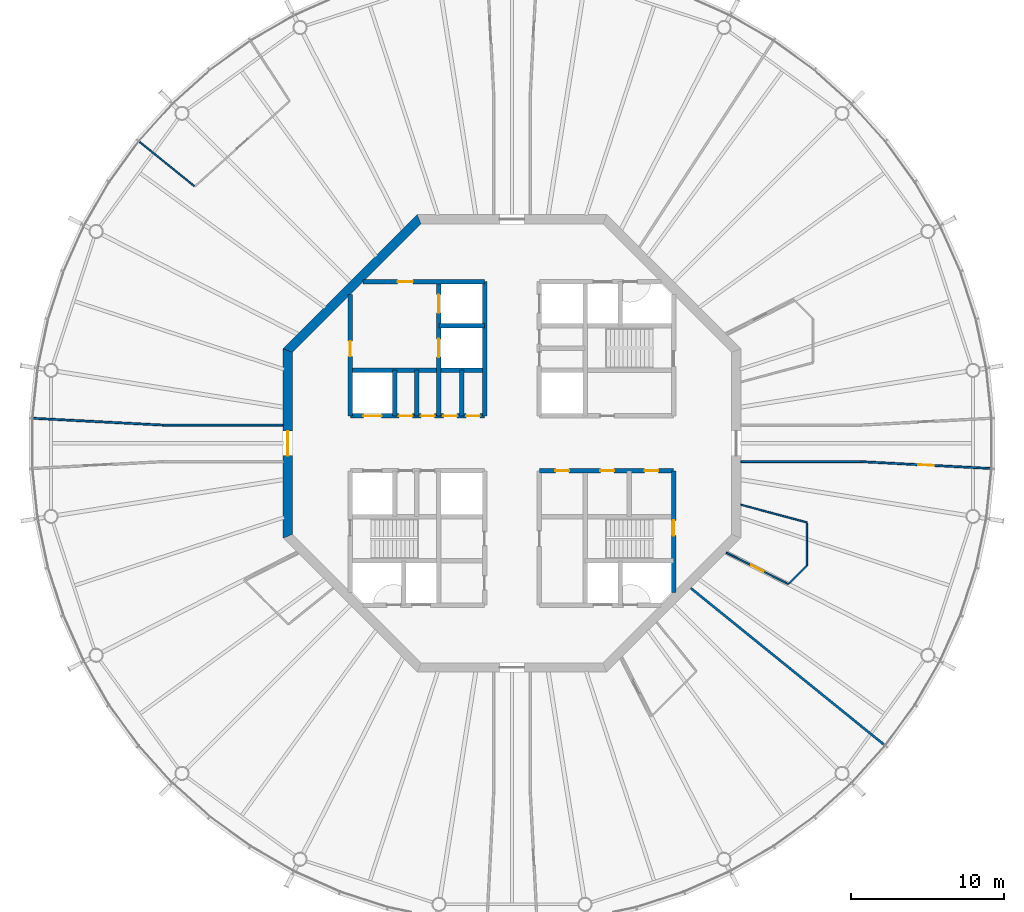
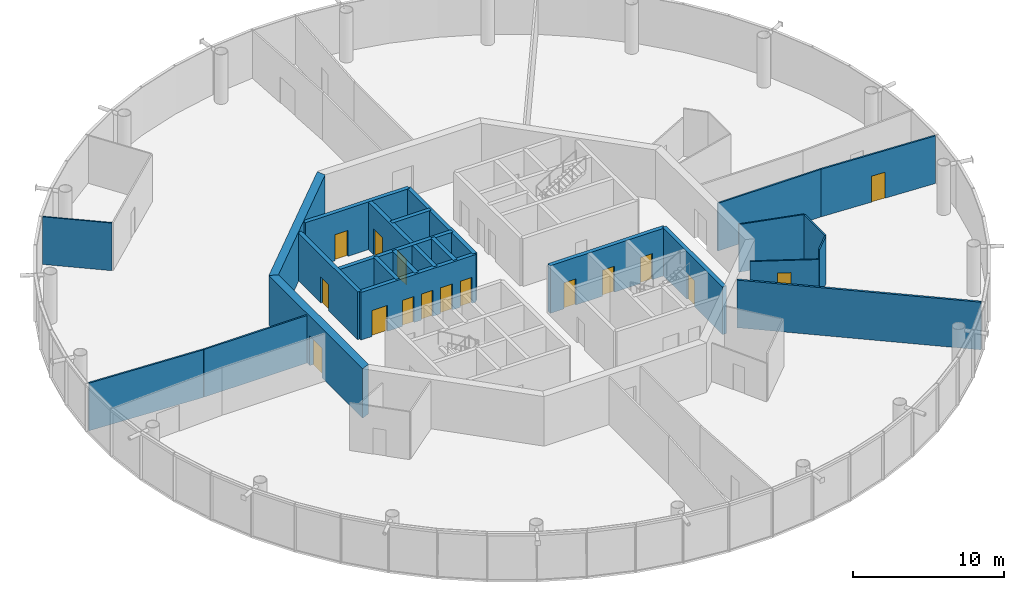
# One storey, part 4 of 18: 24 walls, 16 doors, 16 openings.
"""IFC4 building model written with IfcOpenShell, lengths in metres."""

from ifc_helpers import new_model, si_unit, direction, frame, frame_2d, origin, place, context, subcontext, project, spatial, polyline, rectangle, outline, extrude, material, layer, layer_set, type_object, element, fill, save


model = new_model("IFC4")

# Units and contexts
model_context = context("Model", 3, precision=1e-05, world=origin(), true_north=direction((0.0, 1.0)))
body_context = subcontext(model_context, "Body", "Model", "MODEL_VIEW")
ifc_project = project(units=[si_unit("LENGTHUNIT", "METRE"), si_unit("AREAUNIT", "SQUARE_METRE"), si_unit("VOLUMEUNIT", "CUBIC_METRE"), si_unit("PLANEANGLEUNIT", "RADIAN"), si_unit("MASSUNIT", "GRAM", prefix="KILO")], contexts=[model_context])

# Site, building, storey
site_placement = place(None, origin())
site = spatial("IfcSite", under=ifc_project, at=site_placement, CompositionType="ELEMENT")
building_placement = place(site_placement, origin())
building = spatial("IfcBuilding", under=site, at=building_placement, Name="Entoto Ring Tower", CompositionType="ELEMENT")
storey_placement = place(building_placement, frame((0.0, 0.0, 352.0)))
storey = spatial("IfcBuildingStorey", under=building, at=storey_placement, Name="L81", CompositionType="ELEMENT", Elevation=352.0)

# Wall, opening, door
ifc_material_1 = material(Name="Concrete C40/50", Category="concrete")
ifc_layer_1 = layer(ifc_material_1, 0.300048828125)
ifc_layer_set_1 = layer_set([ifc_layer_1], Name="Concrete C40/50")
wall_type_1 = type_object("IfcWallType", Name="Core enclosure wall 300 mm reinforced concrete", PredefinedType="SOLIDWALL", material=ifc_layer_set_1)
wall_1_placement = place(storey_placement, frame((100.60009765625, 70.2353515625, 0.0), z_axis=(0.0, 0.0, 1.0), x_axis=(0.0, 1.0, 0.0)))
wall_1 = element("IfcWall", 1, at=wall_1_placement, inside=storey, type_object=wall_type_1, Name="wall-L81-001", PredefinedType="SOLIDWALL", context=body_context, shape_type="SweptSolid", body=[
    extrude(rectangle(XDim=7.964599609375, YDim=0.300048828125, at=frame_2d((3.982421875, 0.0))), origin(), (0.0, 0.0, 1.0), 3.85009765625),
])
opening_1_placement = place(wall_1_placement, frame((3.714599609375, 0.0, 0.0)))
opening_1 = element("IfcOpeningElement", 2, at=opening_1_placement, cuts=wall_1, Name="Opening K-28", PredefinedType="OPENING", context=body_context, shape_type="SweptSolid", body=[
    extrude(rectangle(XDim=1.0, YDim=2.10009765625, at=frame_2d((0.5, 1.050048828125))), frame((0.0, 0.16015625, 0.0), z_axis=(0.0, -1.0, 0.0), x_axis=(1.0, 0.0, 0.0)), (0.0, 0.0, 1.0), 0.320068359375),
])
ifc_material_2 = material(Name="Steel door leaf, fire rated", Category="steel")
ifc_layer_2 = layer(ifc_material_2, 0.050048828125)
ifc_layer_set_2 = layer_set([ifc_layer_2], Name="Steel door leaf, fire rated")
door_type_1 = type_object("IfcDoorType", Name="Fire door FD60 1000 x 2100 single leaf", OperationType="NOTDEFINED", PredefinedType="DOOR", material=ifc_layer_set_2)
door_1_placement = place(opening_1_placement, origin())
door_1 = element("IfcDoor", 3, at=door_1_placement, inside=storey, type_object=door_type_1, Name="Door K-28", OperationType="SINGLE_SWING_RIGHT", OverallHeight=2.10009765625, OverallWidth=1.0, PredefinedType="DOOR", context=body_context, shape_type="SweptSolid", body=[
    extrude(rectangle(XDim=1.0, YDim=2.10009765625, at=frame_2d((0.5, 1.050048828125))), frame((0.0, 0.02490234375, 0.0), z_axis=(0.0, -1.0, 0.0), x_axis=(1.0, 0.0, 0.0)), (0.0, 0.0, 1.0), 0.050048828125),
])
fill(opening_1, door_1)

# Walls
wall_2_placement = place(storey_placement, frame((88.199951171875, 81.800048828125, 0.0), z_axis=(0.0, 0.0, 1.0), x_axis=(0.0, 1.0, 0.0)))
element("IfcWall", 4, at=wall_2_placement, inside=storey, type_object=wall_type_1, Name="wall-L81-011", PredefinedType="SOLIDWALL", context=body_context, shape_type="SweptSolid", body=[
    extrude(rectangle(XDim=8.800048828125, YDim=0.300048828125, at=frame_2d((4.39990234375, 0.0))), origin(), (0.0, 0.0, 1.0), 3.85009765625),
])
wall_3_placement = place(storey_placement, frame((86.699951171875, 81.800048828125, 0.0), z_axis=(0.0, 0.0, 1.0), x_axis=(0.0, 1.0, 0.0)))
element("IfcWall", 5, at=wall_3_placement, inside=storey, type_object=wall_type_1, Name="wall-L81-012", PredefinedType="SOLIDWALL", context=body_context, shape_type="SweptSolid", body=[
    extrude(rectangle(XDim=3.0, YDim=0.300048828125, at=frame_2d((1.5, 0.0))), origin(), (0.0, 0.0, 1.0), 3.85009765625),
])

# Wall, openings, doors
wall_4_placement = place(storey_placement, frame((85.199951171875, 81.800048828125, 0.0), z_axis=(0.0, 0.0, 1.0), x_axis=(0.0, 1.0, 0.0)))
wall_4 = element("IfcWall", 6, at=wall_4_placement, inside=storey, type_object=wall_type_1, Name="wall-L81-014", PredefinedType="SOLIDWALL", context=body_context, shape_type="SweptSolid", body=[
    extrude(rectangle(XDim=8.800048828125, YDim=0.300048828125, at=frame_2d((4.39990234375, 0.0))), origin(), (0.0, 0.0, 1.0), 3.85009765625),
])
opening_2_placement = place(wall_4_placement, frame((3.85009765625, 0.0, 0.0)))
opening_2 = element("IfcOpeningElement", 7, at=opening_2_placement, cuts=wall_4, Name="Opening LD", PredefinedType="OPENING", context=body_context, shape_type="SweptSolid", body=[
    extrude(rectangle(XDim=1.199951171875, YDim=2.10009765625, at=frame_2d((0.60009765625, 1.050048828125))), frame((0.0, 0.16015625, 0.0), z_axis=(0.0, -1.0, 0.0), x_axis=(1.0, 0.0, 0.0)), (0.0, 0.0, 1.0), 0.320068359375),
])
opening_3_placement = place(wall_4_placement, frame((6.75, 0.0, 0.0)))
opening_3 = element("IfcOpeningElement", 8, at=opening_3_placement, cuts=wall_4, Name="Opening LD", PredefinedType="OPENING", context=body_context, shape_type="SweptSolid", body=[
    extrude(rectangle(XDim=1.199951171875, YDim=2.10009765625, at=frame_2d((0.60009765625, 1.050048828125))), frame((0.0, 0.16015625, 0.0), z_axis=(0.0, -1.0, 0.0), x_axis=(1.0, 0.0, 0.0)), (0.0, 0.0, 1.0), 0.320068359375),
])
ifc_material_3 = material(Name="Steel and glass door leaf", Category="steel")
ifc_layer_3 = layer(ifc_material_3, 0.050048828125)
ifc_layer_set_3 = layer_set([ifc_layer_3], Name="Steel and glass door leaf")
door_type_2 = type_object("IfcDoorType", Name="Landing door 1200 x 2100 sliding", OperationType="DOUBLE_DOOR_SLIDING", PredefinedType="DOOR", material=ifc_layer_set_3)
door_2_placement = place(opening_2_placement, origin())
door_2 = element("IfcDoor", 9, at=door_2_placement, inside=storey, type_object=door_type_2, Name="Landing door FF1", OperationType="SLIDING_TO_RIGHT", OverallHeight=2.10009765625, OverallWidth=1.199951171875, PredefinedType="DOOR", context=body_context, shape_type="SweptSolid", body=[
    extrude(rectangle(XDim=1.199951171875, YDim=2.10009765625, at=frame_2d((0.60009765625, 1.050048828125))), frame((0.0, 0.02490234375, 0.0), z_axis=(0.0, -1.0, 0.0), x_axis=(1.0, 0.0, 0.0)), (0.0, 0.0, 1.0), 0.050048828125),
])
fill(opening_2, door_2)
door_3_placement = place(opening_3_placement, origin())
door_3 = element("IfcDoor", 10, at=door_3_placement, inside=storey, type_object=door_type_2, Name="Landing door FF2", OperationType="SLIDING_TO_RIGHT", OverallHeight=2.10009765625, OverallWidth=1.199951171875, PredefinedType="DOOR", context=body_context, shape_type="SweptSolid", body=[
    extrude(rectangle(XDim=1.199951171875, YDim=2.10009765625, at=frame_2d((0.60009765625, 1.050048828125))), frame((0.0, 0.02490234375, 0.0), z_axis=(0.0, -1.0, 0.0), x_axis=(1.0, 0.0, 0.0)), (0.0, 0.0, 1.0), 0.050048828125),
])
fill(opening_3, door_3)

# Walls
for number, where, z_axis, x_axis, name in (
    (11, (83.75, 81.800048828125, 0.0), (0.0, 0.0, 1.0), (0.0, 1.0, 0.0), "wall-L81-016"),
    (12, (82.300048828125, 81.800048828125, 0.0), (0.0, 0.0, 1.0), (0.0, 1.0, 0.0), "wall-L81-019"),
):
    element("IfcWall", number, at=place(storey_placement, frame(where, z_axis=z_axis, x_axis=x_axis)), inside=storey, type_object=wall_type_1, Name=name, PredefinedType="SOLIDWALL", context=body_context, shape_type="SweptSolid", body=[
        extrude(rectangle(XDim=3.0, YDim=0.300048828125, at=frame_2d((1.5, 0.0))), origin(), (0.0, 0.0, 1.0), 3.85009765625),
    ])

# Wall, opening, door
wall_5_placement = place(storey_placement, frame((79.39990234375, 81.800048828125, 0.0), z_axis=(0.0, 0.0, 1.0), x_axis=(0.0, 1.0, 0.0)))
wall_5 = element("IfcWall", 13, at=wall_5_placement, inside=storey, type_object=wall_type_1, Name="wall-L81-021", PredefinedType="SOLIDWALL", context=body_context, shape_type="SweptSolid", body=[
    extrude(rectangle(XDim=7.964599609375, YDim=0.300048828125, at=frame_2d((3.982421875, 0.0))), origin(), (0.0, 0.0, 1.0), 3.85009765625),
])
opening_4_placement = place(wall_5_placement, frame((3.89990234375, 0.0, 0.0)))
opening_4 = element("IfcOpeningElement", 14, at=opening_4_placement, cuts=wall_5, Name="Opening K-86", PredefinedType="OPENING", context=body_context, shape_type="SweptSolid", body=[
    extrude(rectangle(XDim=1.0, YDim=2.10009765625, at=frame_2d((0.5, 1.050048828125))), frame((0.0, 0.16015625, 0.0), z_axis=(0.0, -1.0, 0.0), x_axis=(1.0, 0.0, 0.0)), (0.0, 0.0, 1.0), 0.320068359375),
])
door_4_placement = place(opening_4_placement, frame((1.0, 0.0, 0.0), z_axis=(0.0, 0.0, 1.0), x_axis=(-1.0, 0.0, 0.0)))
door_4 = element("IfcDoor", 15, at=door_4_placement, inside=storey, type_object=door_type_1, Name="Door K-86", OperationType="SINGLE_SWING_RIGHT", OverallHeight=2.10009765625, OverallWidth=1.0, PredefinedType="DOOR", context=body_context, shape_type="SweptSolid", body=[
    extrude(rectangle(XDim=1.0, YDim=2.10009765625, at=frame_2d((0.5, 1.050048828125))), frame((0.0, 0.02490234375, 0.0), z_axis=(0.0, -1.0, 0.0), x_axis=(1.0, 0.0, 0.0)), (0.0, 0.0, 1.0), 0.050048828125),
])
fill(opening_4, door_4)

# Wall, openings, doors
wall_6_placement = place(storey_placement, frame((91.800048828125, 78.199951171875, 0.0), z_axis=(0.0, 0.0, 1.0), x_axis=(1.0, 0.0, 0.0)))
wall_6 = element("IfcWall", 16, at=wall_6_placement, inside=storey, type_object=wall_type_1, Name="wall-L81-029", PredefinedType="SOLIDWALL", context=body_context, shape_type="SweptSolid", body=[
    extrude(rectangle(XDim=8.800048828125, YDim=0.300048828125, at=frame_2d((4.39990234375, 0.0))), origin(), (0.0, 0.0, 1.0), 3.85009765625),
])
opening_5_placement = place(wall_6_placement, frame((4.0, 0.0, 0.0)))
opening_5 = element("IfcOpeningElement", 17, at=opening_5_placement, cuts=wall_6, Name="Opening K-14", PredefinedType="OPENING", context=body_context, shape_type="SweptSolid", body=[
    extrude(rectangle(XDim=0.89990234375, YDim=2.10009765625, at=frame_2d((0.449951171875, 1.050048828125))), frame((0.0, 0.16015625, 0.0), z_axis=(0.0, -1.0, 0.0), x_axis=(1.0, 0.0, 0.0)), (0.0, 0.0, 1.0), 0.320068359375),
])
opening_6_placement = place(wall_6_placement, frame((6.89990234375, 0.0, 0.0)))
opening_6 = element("IfcOpeningElement", 18, at=opening_6_placement, cuts=wall_6, Name="Opening K-15", PredefinedType="OPENING", context=body_context, shape_type="SweptSolid", body=[
    extrude(rectangle(XDim=0.89990234375, YDim=2.10009765625, at=frame_2d((0.449951171875, 1.050048828125))), frame((0.0, 0.16015625, 0.0), z_axis=(0.0, -1.0, 0.0), x_axis=(1.0, 0.0, 0.0)), (0.0, 0.0, 1.0), 0.320068359375),
])
opening_7_placement = place(wall_6_placement, frame((1.050048828125, 0.0, 0.0)))
opening_7 = element("IfcOpeningElement", 19, at=opening_7_placement, cuts=wall_6, Name="Opening K-25", PredefinedType="OPENING", context=body_context, shape_type="SweptSolid", body=[
    extrude(rectangle(XDim=0.89990234375, YDim=2.10009765625, at=frame_2d((0.449951171875, 1.050048828125))), frame((0.0, 0.16015625, 0.0), z_axis=(0.0, -1.0, 0.0), x_axis=(1.0, 0.0, 0.0)), (0.0, 0.0, 1.0), 0.320068359375),
])
ifc_material_4 = material(Name="Steel door leaf, fire rated", Category="steel")
ifc_layer_4 = layer(ifc_material_4, 0.050048828125)
ifc_layer_set_4 = layer_set([ifc_layer_4], Name="Steel door leaf, fire rated")
door_type_3 = type_object("IfcDoorType", Name="Core door 900 x 2100 single leaf", OperationType="NOTDEFINED", PredefinedType="DOOR", material=ifc_layer_set_4)
door_5_placement = place(opening_5_placement, frame((0.89990234375, 0.0, 0.0), z_axis=(0.0, 0.0, 1.0), x_axis=(-1.0, 0.0, 0.0)))
door_5 = element("IfcDoor", 20, at=door_5_placement, inside=storey, type_object=door_type_3, Name="Door K-14", OperationType="SINGLE_SWING_RIGHT", OverallHeight=2.10009765625, OverallWidth=0.89990234375, PredefinedType="DOOR", context=body_context, shape_type="SweptSolid", body=[
    extrude(rectangle(XDim=0.89990234375, YDim=2.10009765625, at=frame_2d((0.449951171875, 1.050048828125))), frame((0.0, 0.02490234375, 0.0), z_axis=(0.0, -1.0, 0.0), x_axis=(1.0, 0.0, 0.0)), (0.0, 0.0, 1.0), 0.050048828125),
])
fill(opening_5, door_5)
door_6_placement = place(opening_6_placement, frame((0.89990234375, 0.0, 0.0), z_axis=(0.0, 0.0, 1.0), x_axis=(-1.0, 0.0, 0.0)))
door_6 = element("IfcDoor", 21, at=door_6_placement, inside=storey, type_object=door_type_3, Name="Door K-15", OperationType="SINGLE_SWING_LEFT", OverallHeight=2.10009765625, OverallWidth=0.89990234375, PredefinedType="DOOR", context=body_context, shape_type="SweptSolid", body=[
    extrude(rectangle(XDim=0.89990234375, YDim=2.10009765625, at=frame_2d((0.449951171875, 1.050048828125))), frame((0.0, 0.02490234375, 0.0), z_axis=(0.0, -1.0, 0.0), x_axis=(1.0, 0.0, 0.0)), (0.0, 0.0, 1.0), 0.050048828125),
])
fill(opening_6, door_6)
door_7_placement = place(opening_7_placement, frame((0.89990234375, 0.0, 0.0), z_axis=(0.0, 0.0, 1.0), x_axis=(-1.0, 0.0, 0.0)))
door_7 = element("IfcDoor", 22, at=door_7_placement, inside=storey, type_object=door_type_3, Name="Door K-25", OperationType="SINGLE_SWING_RIGHT", OverallHeight=2.10009765625, OverallWidth=0.89990234375, PredefinedType="DOOR", context=body_context, shape_type="SweptSolid", body=[
    extrude(rectangle(XDim=0.89990234375, YDim=2.10009765625, at=frame_2d((0.449951171875, 1.050048828125))), frame((0.0, 0.02490234375, 0.0), z_axis=(0.0, -1.0, 0.0), x_axis=(1.0, 0.0, 0.0)), (0.0, 0.0, 1.0), 0.050048828125),
])
fill(opening_7, door_7)

wall_7_placement = place(storey_placement, frame((79.39990234375, 81.800048828125, 0.0), z_axis=(0.0, 0.0, 1.0), x_axis=(1.0, 0.0, 0.0)))
wall_7 = element("IfcWall", 23, at=wall_7_placement, inside=storey, type_object=wall_type_1, Name="wall-L81-030", PredefinedType="SOLIDWALL", context=body_context, shape_type="SweptSolid", body=[
    extrude(rectangle(XDim=8.800048828125, YDim=0.300048828125, at=frame_2d((4.39990234375, 0.0))), origin(), (0.0, 0.0, 1.0), 3.85009765625),
])
opening_8_placement = place(wall_7_placement, frame((0.85009765625, 0.0, 0.0)))
opening_8 = element("IfcOpeningElement", 24, at=opening_8_placement, cuts=wall_7, Name="Opening LD", PredefinedType="OPENING", context=body_context, shape_type="SweptSolid", body=[
    extrude(rectangle(XDim=1.199951171875, YDim=2.10009765625, at=frame_2d((0.60009765625, 1.050048828125))), frame((0.0, 0.16015625, 0.0), z_axis=(0.0, -1.0, 0.0), x_axis=(1.0, 0.0, 0.0)), (0.0, 0.0, 1.0), 0.320068359375),
])
opening_9_placement = place(wall_7_placement, frame((3.175048828125, 0.0, 0.0)))
opening_9 = element("IfcOpeningElement", 25, at=opening_9_placement, cuts=wall_7, Name="Opening K-12", PredefinedType="OPENING", context=body_context, shape_type="SweptSolid", body=[
    extrude(rectangle(XDim=0.89990234375, YDim=2.10009765625, at=frame_2d((0.449951171875, 1.050048828125))), frame((0.0, 0.16015625, 0.0), z_axis=(0.0, -1.0, 0.0), x_axis=(1.0, 0.0, 0.0)), (0.0, 0.0, 1.0), 0.320068359375),
])
opening_10_placement = place(wall_7_placement, frame((4.625, 0.0, 0.0)))
opening_10 = element("IfcOpeningElement", 26, at=opening_10_placement, cuts=wall_7, Name="Opening K-46", PredefinedType="OPENING", context=body_context, shape_type="SweptSolid", body=[
    extrude(rectangle(XDim=0.89990234375, YDim=2.10009765625, at=frame_2d((0.449951171875, 1.050048828125))), frame((0.0, 0.16015625, 0.0), z_axis=(0.0, -1.0, 0.0), x_axis=(1.0, 0.0, 0.0)), (0.0, 0.0, 1.0), 0.320068359375),
])
opening_11_placement = place(wall_7_placement, frame((6.10009765625, 0.0, 0.0)))
opening_11 = element("IfcOpeningElement", 27, at=opening_11_placement, cuts=wall_7, Name="Opening K-71", PredefinedType="OPENING", context=body_context, shape_type="SweptSolid", body=[
    extrude(rectangle(XDim=0.89990234375, YDim=2.10009765625, at=frame_2d((0.449951171875, 1.050048828125))), frame((0.0, 0.16015625, 0.0), z_axis=(0.0, -1.0, 0.0), x_axis=(1.0, 0.0, 0.0)), (0.0, 0.0, 1.0), 0.320068359375),
])
opening_12_placement = place(wall_7_placement, frame((7.60009765625, 0.0, 0.0)))
opening_12 = element("IfcOpeningElement", 28, at=opening_12_placement, cuts=wall_7, Name="Opening K-24", PredefinedType="OPENING", context=body_context, shape_type="SweptSolid", body=[
    extrude(rectangle(XDim=0.89990234375, YDim=2.10009765625, at=frame_2d((0.449951171875, 1.050048828125))), frame((0.0, 0.16015625, 0.0), z_axis=(0.0, -1.0, 0.0), x_axis=(1.0, 0.0, 0.0)), (0.0, 0.0, 1.0), 0.320068359375),
])
door_8_placement = place(opening_9_placement, origin())
door_8 = element("IfcDoor", 29, at=door_8_placement, inside=storey, type_object=door_type_3, Name="Door K-12", OperationType="SINGLE_SWING_RIGHT", OverallHeight=2.10009765625, OverallWidth=0.89990234375, PredefinedType="DOOR", context=body_context, shape_type="SweptSolid", body=[
    extrude(rectangle(XDim=0.89990234375, YDim=2.10009765625, at=frame_2d((0.449951171875, 1.050048828125))), frame((0.0, 0.02490234375, 0.0), z_axis=(0.0, -1.0, 0.0), x_axis=(1.0, 0.0, 0.0)), (0.0, 0.0, 1.0), 0.050048828125),
])
fill(opening_9, door_8)
door_9_placement = place(opening_10_placement, origin())
door_9 = element("IfcDoor", 30, at=door_9_placement, inside=storey, type_object=door_type_3, Name="Door K-46", OperationType="SINGLE_SWING_RIGHT", OverallHeight=2.10009765625, OverallWidth=0.89990234375, PredefinedType="DOOR", context=body_context, shape_type="SweptSolid", body=[
    extrude(rectangle(XDim=0.89990234375, YDim=2.10009765625, at=frame_2d((0.449951171875, 1.050048828125))), frame((0.0, 0.02490234375, 0.0), z_axis=(0.0, -1.0, 0.0), x_axis=(1.0, 0.0, 0.0)), (0.0, 0.0, 1.0), 0.050048828125),
])
fill(opening_10, door_9)
door_10_placement = place(opening_11_placement, origin())
door_10 = element("IfcDoor", 31, at=door_10_placement, inside=storey, type_object=door_type_3, Name="Door K-71", OperationType="SINGLE_SWING_LEFT", OverallHeight=2.10009765625, OverallWidth=0.89990234375, PredefinedType="DOOR", context=body_context, shape_type="SweptSolid", body=[
    extrude(rectangle(XDim=0.89990234375, YDim=2.10009765625, at=frame_2d((0.449951171875, 1.050048828125))), frame((0.0, 0.02490234375, 0.0), z_axis=(0.0, -1.0, 0.0), x_axis=(1.0, 0.0, 0.0)), (0.0, 0.0, 1.0), 0.050048828125),
])
fill(opening_11, door_10)
door_11_placement = place(opening_12_placement, origin())
door_11 = element("IfcDoor", 32, at=door_11_placement, inside=storey, type_object=door_type_3, Name="Door K-24", OperationType="SINGLE_SWING_LEFT", OverallHeight=2.10009765625, OverallWidth=0.89990234375, PredefinedType="DOOR", context=body_context, shape_type="SweptSolid", body=[
    extrude(rectangle(XDim=0.89990234375, YDim=2.10009765625, at=frame_2d((0.449951171875, 1.050048828125))), frame((0.0, 0.02490234375, 0.0), z_axis=(0.0, -1.0, 0.0), x_axis=(1.0, 0.0, 0.0)), (0.0, 0.0, 1.0), 0.050048828125),
])
fill(opening_12, door_11)
door_12_placement = place(opening_8_placement, origin())
door_12 = element("IfcDoor", 33, at=door_12_placement, inside=storey, type_object=door_type_2, Name="Landing door SH1", OperationType="SLIDING_TO_RIGHT", OverallHeight=2.10009765625, OverallWidth=1.199951171875, PredefinedType="DOOR", context=body_context, shape_type="SweptSolid", body=[
    extrude(rectangle(XDim=1.199951171875, YDim=2.10009765625, at=frame_2d((0.60009765625, 1.050048828125))), frame((0.0, 0.02490234375, 0.0), z_axis=(0.0, -1.0, 0.0), x_axis=(1.0, 0.0, 0.0)), (0.0, 0.0, 1.0), 0.050048828125),
])
fill(opening_8, door_12)

# Walls
wall_8_placement = place(storey_placement, frame((79.39990234375, 84.800048828125, 0.0), z_axis=(0.0, 0.0, 1.0), x_axis=(1.0, 0.0, 0.0)))
element("IfcWall", 34, at=wall_8_placement, inside=storey, type_object=wall_type_1, Name="wall-L81-032", PredefinedType="SOLIDWALL", context=body_context, shape_type="SweptSolid", body=[
    extrude(rectangle(XDim=8.800048828125, YDim=0.300048828125, at=frame_2d((4.39990234375, 0.0))), origin(), (0.0, 0.0, 1.0), 3.85009765625),
])
wall_9_placement = place(storey_placement, frame((85.199951171875, 87.699951171875, 0.0), z_axis=(0.0, 0.0, 1.0), x_axis=(1.0, 0.0, 0.0)))
element("IfcWall", 35, at=wall_9_placement, inside=storey, type_object=wall_type_1, Name="wall-L81-035", PredefinedType="SOLIDWALL", context=body_context, shape_type="SweptSolid", body=[
    extrude(rectangle(XDim=3.0, YDim=0.300048828125, at=frame_2d((1.5, 0.0))), origin(), (0.0, 0.0, 1.0), 3.85009765625),
])

# Wall, opening, door
wall_10_placement = place(storey_placement, frame((80.2353515625, 90.60009765625, 0.0), z_axis=(0.0, 0.0, 1.0), x_axis=(1.0, 0.0, 0.0)))
wall_10 = element("IfcWall", 36, at=wall_10_placement, inside=storey, type_object=wall_type_1, Name="wall-L81-037", PredefinedType="SOLIDWALL", context=body_context, shape_type="SweptSolid", body=[
    extrude(rectangle(XDim=7.964599609375, YDim=0.300048828125, at=frame_2d((3.982421875, 0.0))), origin(), (0.0, 0.0, 1.0), 3.85009765625),
])
opening_13_placement = place(wall_10_placement, frame((2.2646484375, 0.0, 0.0)))
opening_13 = element("IfcOpeningElement", 37, at=opening_13_placement, cuts=wall_10, Name="Opening K-87", PredefinedType="OPENING", context=body_context, shape_type="SweptSolid", body=[
    extrude(rectangle(XDim=1.0, YDim=2.10009765625, at=frame_2d((0.5, 1.050048828125))), frame((0.0, 0.16015625, 0.0), z_axis=(0.0, -1.0, 0.0), x_axis=(1.0, 0.0, 0.0)), (0.0, 0.0, 1.0), 0.320068359375),
])
door_13_placement = place(opening_13_placement, frame((1.0, 0.0, 0.0), z_axis=(0.0, 0.0, 1.0), x_axis=(-1.0, 0.0, 0.0)))
door_13 = element("IfcDoor", 38, at=door_13_placement, inside=storey, type_object=door_type_1, Name="Door K-87", OperationType="SINGLE_SWING_LEFT", OverallHeight=2.10009765625, OverallWidth=1.0, PredefinedType="DOOR", context=body_context, shape_type="SweptSolid", body=[
    extrude(rectangle(XDim=1.0, YDim=2.10009765625, at=frame_2d((0.5, 1.050048828125))), frame((0.0, 0.02490234375, 0.0), z_axis=(0.0, -1.0, 0.0), x_axis=(1.0, 0.0, 0.0)), (0.0, 0.0, 1.0), 0.050048828125),
])
fill(opening_13, door_13)

# Wall
ifc_material_5 = material(Name="Concrete C40/50", Category="concrete")
ifc_layer_5 = layer(ifc_material_5, 0.60009765625)
ifc_layer_set_5 = layer_set([ifc_layer_5], Name="Concrete C40/50")
wall_type_2 = type_object("IfcWallType", Name="Core shear wall 600 mm reinforced concrete C40/50", PredefinedType="SHEAR", material=ifc_layer_set_5)
wall_11_placement = place(storey_placement, frame((83.9111328125, 94.699951171875, 0.0), z_axis=(0.0, 0.0, 1.0), x_axis=(-0.707106781187, -0.707106781187, 0.0)))
element("IfcWall", 39, at=wall_11_placement, inside=storey, type_object=wall_type_2, Name="wall-L81-core-3", PredefinedType="SHEAR", context=body_context, shape_type="SweptSolid", body=[
    extrude(outline(polyline([(-0.124267578125, -0.300048828125), (12.30224609375, -0.300048828125), (12.0537109375, 0.300048828125), (0.124267578125, 0.300048828125), (-0.124267578125, -0.300048828125)])), origin(), (0.0, 0.0, 1.0), 4.0),
])

# Wall, opening, door
wall_12_placement = place(storey_placement, frame((75.300048828125, 86.0888671875, 0.0), z_axis=(0.0, 0.0, 1.0), x_axis=(0.0, -1.0, 0.0)))
wall_12 = element("IfcWall", 40, at=wall_12_placement, inside=storey, type_object=wall_type_2, Name="wall-L81-core-4", PredefinedType="SHEAR", context=body_context, shape_type="SweptSolid", body=[
    extrude(outline(polyline([(-0.124267578125, -0.300048828125), (12.302001953125, -0.300048828125), (12.053466796875, 0.300048828125), (0.124267578125, 0.300048828125), (-0.124267578125, -0.300048828125)])), origin(), (0.0, 0.0, 1.0), 4.0),
])
opening_14_placement = place(wall_12_placement, frame((5.288818359375, 0.0, 0.0)))
opening_14 = element("IfcOpeningElement", 41, at=opening_14_placement, cuts=wall_12, Name="Opening K-03", PredefinedType="OPENING", context=body_context, shape_type="SweptSolid", body=[
    extrude(rectangle(XDim=1.60009765625, YDim=2.39990234375, at=frame_2d((0.800048828125, 1.199951171875))), frame((0.0, 0.31005859375, 0.0), z_axis=(0.0, -1.0, 0.0), x_axis=(1.0, 0.0, 0.0)), (0.0, 0.0, 1.0), 0.6201171875),
])
ifc_material_6 = material(Name="Steel door leaf, fire rated", Category="steel")
ifc_layer_6 = layer(ifc_material_6, 0.050048828125)
ifc_layer_set_6 = layer_set([ifc_layer_6], Name="Steel door leaf, fire rated")
door_type_4 = type_object("IfcDoorType", Name="Entrance door FD60 1600 x 2400 double leaf", OperationType="DOUBLE_DOOR_SINGLE_SWING", PredefinedType="DOOR", material=ifc_layer_set_6)
door_14_placement = place(opening_14_placement, origin())
door_14 = element("IfcDoor", 42, at=door_14_placement, inside=storey, type_object=door_type_4, Name="Entrance door K-03", OperationType="DOUBLE_DOOR_SINGLE_SWING", OverallHeight=2.39990234375, OverallWidth=1.60009765625, PredefinedType="DOOR", context=body_context, shape_type="SweptSolid", body=[
    extrude(rectangle(XDim=1.60009765625, YDim=2.39990234375, at=frame_2d((0.800048828125, 1.199951171875))), frame((0.0, 0.02490234375, 0.0), z_axis=(0.0, -1.0, 0.0), x_axis=(1.0, 0.0, 0.0)), (0.0, 0.0, 1.0), 0.050048828125),
])
fill(opening_14, door_14)

# Wall
ifc_material_7 = material(Name="Fire-resisting plasterboard on steel studs", Category="steel")
ifc_layer_7 = layer(ifc_material_7, 0.125)
ifc_layer_set_7 = layer_set([ifc_layer_7], Name="Fire-resisting plasterboard on steel studs")
wall_type_3 = type_object("IfcWallType", Name="Corridor wall 125 mm one-hour plasterboard on steel studs", PredefinedType="PARTITIONING", material=ifc_layer_set_7)
wall_13_placement = place(storey_placement, frame((67.1025390625, 81.199951171875, 0.0), z_axis=(0.0, 0.0, 1.0), x_axis=(-0.998628821692, 0.05234956051, 0.0)))
element("IfcWall", 43, at=wall_13_placement, inside=storey, type_object=wall_type_3, Name="partition-L81-002", PredefinedType="PARTITIONING", context=body_context, shape_type="SweptSolid", body=[
    extrude(rectangle(XDim=8.51123046875, YDim=0.125, at=frame_2d((4.255615234375, 0.0))), origin(), (0.0, 0.0, 1.0), 3.85009765625),
])

# Wall, opening, door
wall_14_placement = place(storey_placement, frame((121.39697265625, 78.3544921875, 0.0), z_axis=(0.0, 0.0, 1.0), x_axis=(-0.998628821692, 0.05234956051, 0.0)))
wall_14 = element("IfcWall", 44, at=wall_14_placement, inside=storey, type_object=wall_type_3, Name="partition-L81-008", PredefinedType="PARTITIONING", context=body_context, shape_type="SweptSolid", body=[
    extrude(rectangle(XDim=8.51123046875, YDim=0.125, at=frame_2d((4.255615234375, 0.0))), origin(), (0.0, 0.0, 1.0), 3.85009765625),
])
opening_15_placement = place(wall_14_placement, frame((3.755615234375, 0.0, 0.0)))
opening_15 = element("IfcOpeningElement", 45, at=opening_15_placement, cuts=wall_14, Name="Opening A35-D10", PredefinedType="OPENING", context=body_context, shape_type="SweptSolid", body=[
    extrude(rectangle(XDim=1.0, YDim=2.10009765625, at=frame_2d((0.5, 1.050048828125))), frame((0.0, 0.072509765625, 0.0), z_axis=(0.0, -1.0, 0.0), x_axis=(1.0, 0.0, 0.0)), (0.0, 0.0, 1.0), 0.14501953125),
])
ifc_material_8 = material(Name="Fire-resisting timber door set", Category="wood")
door_type_5 = type_object("IfcDoorType", Name="Door 1000 x 2100 single leaf FD30S fire door", OperationType="NOTDEFINED", PredefinedType="DOOR", material=ifc_material_8)
door_15_placement = place(opening_15_placement, origin())
door_15 = element("IfcDoor", 46, at=door_15_placement, inside=storey, type_object=door_type_5, Name="Door A35-D10", OperationType="SINGLE_SWING_LEFT", OverallHeight=2.10009765625, OverallWidth=1.0, PredefinedType="DOOR", context=body_context, shape_type="SweptSolid", body=[
    extrude(rectangle(XDim=1.0, YDim=2.10009765625, at=frame_2d((0.5, 1.050048828125))), frame((0.0, 0.02490234375, 0.0), z_axis=(0.0, -1.0, 0.0), x_axis=(1.0, 0.0, 0.0)), (0.0, 0.0, 1.0), 0.050048828125),
])
fill(opening_15, door_15)

# Walls
for number, where, z_axis, x_axis, name in (
    (47, (67.10595703125, 81.199951171875, 0.0), (0.0, 0.0, 1.0), (1.0, 0.0, 0.0), "partition-L81-010"),
    (48, (105.0, 78.800048828125, 0.0), (0.0, 0.0, 1.0), (1.0, 0.0, 0.0), "partition-L81-015"),
):
    element("IfcWall", number, at=place(storey_placement, frame(where, z_axis=z_axis, x_axis=x_axis)), inside=storey, type_object=wall_type_3, Name=name, PredefinedType="PARTITIONING", context=body_context, shape_type="SweptSolid", body=[
        extrude(rectangle(XDim=7.89404296875, YDim=0.125, at=frame_2d((3.947021484375, 0.0))), origin(), (0.0, 0.0, 1.0), 3.85009765625),
    ])
ifc_material_9 = material(Name="Plasterboard on steel studs", Category="steel")
ifc_layer_8 = layer(ifc_material_9, 0.10009765625)
ifc_layer_set_8 = layer_set([ifc_layer_8], Name="Plasterboard on steel studs")
wall_type_4 = type_object("IfcWallType", Name="Partition 100 mm plasterboard on steel studs", PredefinedType="PARTITIONING", material=ifc_layer_set_8)
wall_15_placement = place(storey_placement, frame((69.165283203125, 96.87158203125, 0.0), z_axis=(0.0, 0.0, 1.0), x_axis=(-0.777146643014, 0.629319549397, 0.0)))
element("IfcWall", 49, at=wall_15_placement, inside=storey, type_object=wall_type_4, Name="partition-L81-023", PredefinedType="PARTITIONING", context=body_context, shape_type="SweptSolid", body=[
    extrude(rectangle(XDim=4.630859375, YDim=0.10009765625, at=frame_2d((2.3154296875, 0.0))), origin(), (0.0, 0.0, 1.0), 3.85009765625),
])
wall_16_placement = place(storey_placement, frame((109.340087890625, 74.81787109375, 0.0), z_axis=(0.0, 0.0, 1.0), x_axis=(-0.96593034681, 0.258802173699, 0.0)))
element("IfcWall", 50, at=wall_16_placement, inside=storey, type_object=wall_type_4, Name="partition-L81-025", PredefinedType="PARTITIONING", context=body_context, shape_type="SweptSolid", body=[
    extrude(rectangle(XDim=4.4931640625, YDim=0.10009765625, at=frame_2d((2.24658203125, 0.0))), origin(), (0.0, 0.0, 1.0), 3.85009765625),
])
wall_17_placement = place(storey_placement, frame((109.340087890625, 71.989013671875, 0.0), z_axis=(0.0, 0.0, 1.0), x_axis=(0.0, 1.0, 0.0)))
element("IfcWall", 51, at=wall_17_placement, inside=storey, type_object=wall_type_4, Name="partition-L81-033", PredefinedType="PARTITIONING", context=body_context, shape_type="SweptSolid", body=[
    extrude(rectangle(XDim=2.78076171875, YDim=0.10009765625, at=frame_2d((1.390380859375, 0.0))), origin(), (0.0, 0.0, 1.0), 3.85009765625),
])
wall_18_placement = place(storey_placement, frame((108.15234375, 70.801513671875, 0.0), z_axis=(0.0, 0.0, 1.0), x_axis=(0.707106781187, 0.707106781187, 0.0)))
element("IfcWall", 52, at=wall_18_placement, inside=storey, type_object=wall_type_4, Name="partition-L81-035", PredefinedType="PARTITIONING", context=body_context, shape_type="SweptSolid", body=[
    extrude(rectangle(XDim=1.64453125, YDim=0.10009765625, at=frame_2d((0.822265625, 0.0))), origin(), (0.0, 0.0, 1.0), 3.85009765625),
])

# Wall, opening, door
ifc_material_10 = material(Name="Plasterboard on steel studs", Category="steel")
ifc_layer_9 = layer(ifc_material_10, 0.10009765625)
ifc_layer_set_9 = layer_set([ifc_layer_9], Name="Plasterboard on steel studs")
wall_type_5 = type_object("IfcWallType", Name="Partition 100 mm plasterboard on steel studs, 3097 mm high", PredefinedType="PARTITIONING", material=ifc_layer_set_9)
wall_19_placement = place(storey_placement, frame((108.118896484375, 70.76806640625, 0.0), z_axis=(0.0, 0.0, 1.0), x_axis=(-0.891020306158, 0.453963450087, 0.0)))
wall_19 = element("IfcWall", 53, at=wall_19_placement, inside=storey, type_object=wall_type_5, Name="partition-L81-024", PredefinedType="PARTITIONING", context=body_context, shape_type="SweptSolid", body=[
    extrude(rectangle(XDim=4.563232421875, YDim=0.10009765625, at=frame_2d((2.28173828125, 0.0))), origin(), (0.0, 0.0, 1.0), 3.096923828125),
])
opening_16_placement = place(wall_19_placement, frame((1.831787109375, 0.0, 0.0)))
opening_16 = element("IfcOpeningElement", 54, at=opening_16_placement, cuts=wall_19, Name="Opening A35-D11", PredefinedType="OPENING", context=body_context, shape_type="SweptSolid", body=[
    extrude(rectangle(XDim=0.89990234375, YDim=2.10009765625, at=frame_2d((0.449951171875, 1.050048828125))), frame((0.0, 0.06005859375, 0.0), z_axis=(0.0, -1.0, 0.0), x_axis=(1.0, 0.0, 0.0)), (0.0, 0.0, 1.0), 0.1201171875),
])
ifc_material_11 = material(Name="Veneered timber door leaf in timber frame", Category="wood")
door_type_6 = type_object("IfcDoorType", Name="Door 900 x 2100 single leaf timber veneer", OperationType="NOTDEFINED", PredefinedType="DOOR", material=ifc_material_11)
door_16_placement = place(opening_16_placement, frame((0.89990234375, 0.0, 0.0), z_axis=(0.0, 0.0, 1.0), x_axis=(-1.0, 0.0, 0.0)))
door_16 = element("IfcDoor", 55, at=door_16_placement, inside=storey, type_object=door_type_6, Name="Door A35-D11", OperationType="SINGLE_SWING_LEFT", OverallHeight=2.10009765625, OverallWidth=0.89990234375, PredefinedType="DOOR", context=body_context, shape_type="SweptSolid", body=[
    extrude(rectangle(XDim=0.89990234375, YDim=2.10009765625, at=frame_2d((0.449951171875, 1.050048828125))), frame((0.0, 0.02490234375, 0.0), z_axis=(0.0, -1.0, 0.0), x_axis=(1.0, 0.0, 0.0)), (0.0, 0.0, 1.0), 0.050048828125),
])
fill(opening_16, door_16)

# Wall
ifc_material_12 = material(Name="Fire-resisting acoustic plasterboard on steel studs", Category="steel")
ifc_layer_10 = layer(ifc_material_12, 0.14990234375)
ifc_layer_set_10 = layer_set([ifc_layer_10], Name="Fire-resisting acoustic plasterboard on steel studs")
wall_type_6 = type_object("IfcWallType", Name="Party wall 150 mm one-hour acoustic plasterboard on steel studs", PredefinedType="PARTITIONING", material=ifc_layer_set_10)
wall_20_placement = place(storey_placement, frame((114.43359375, 60.214111328125, 0.0), z_axis=(0.0, 0.0, 1.0), x_axis=(-0.777143368827, 0.629323592667, 0.0)))
element("IfcWall", 56, at=wall_20_placement, inside=storey, type_object=wall_type_6, Name="partition-L81-017", PredefinedType="PARTITIONING", context=body_context, shape_type="SweptSolid", body=[
    extrude(rectangle(XDim=16.357666015625, YDim=0.14990234375, at=frame_2d((8.1787109375, 0.0))), origin(), (0.0, 0.0, 1.0), 3.85009765625),
])

save(model, "model.ifc")
